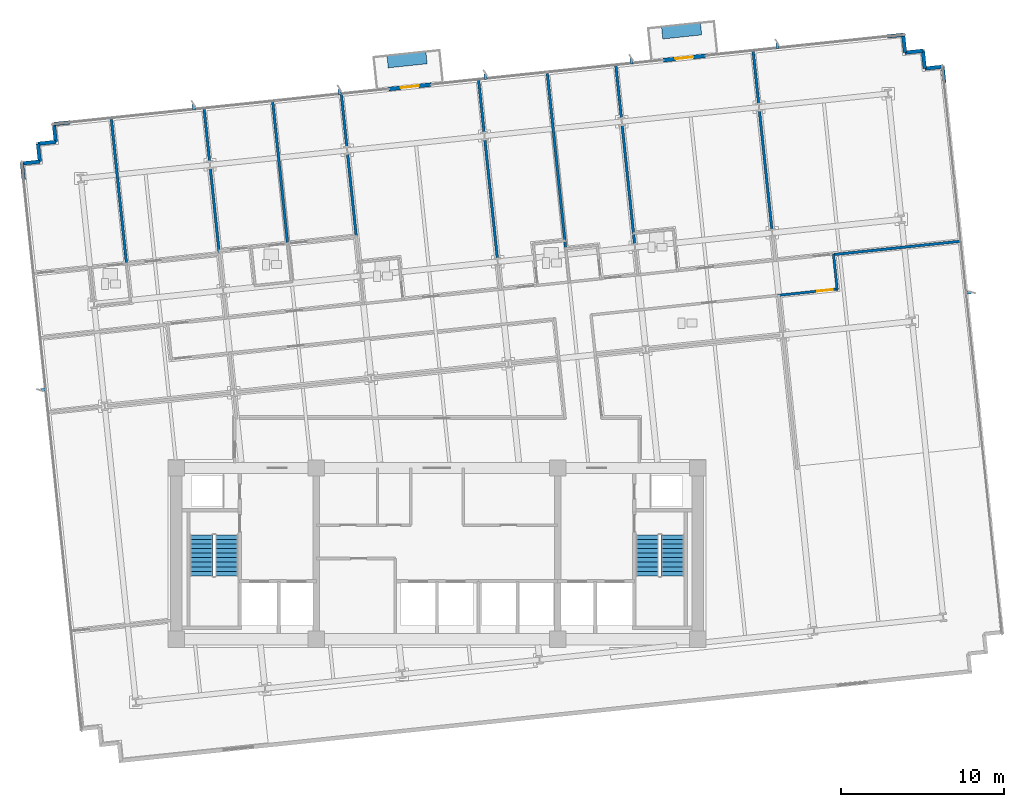
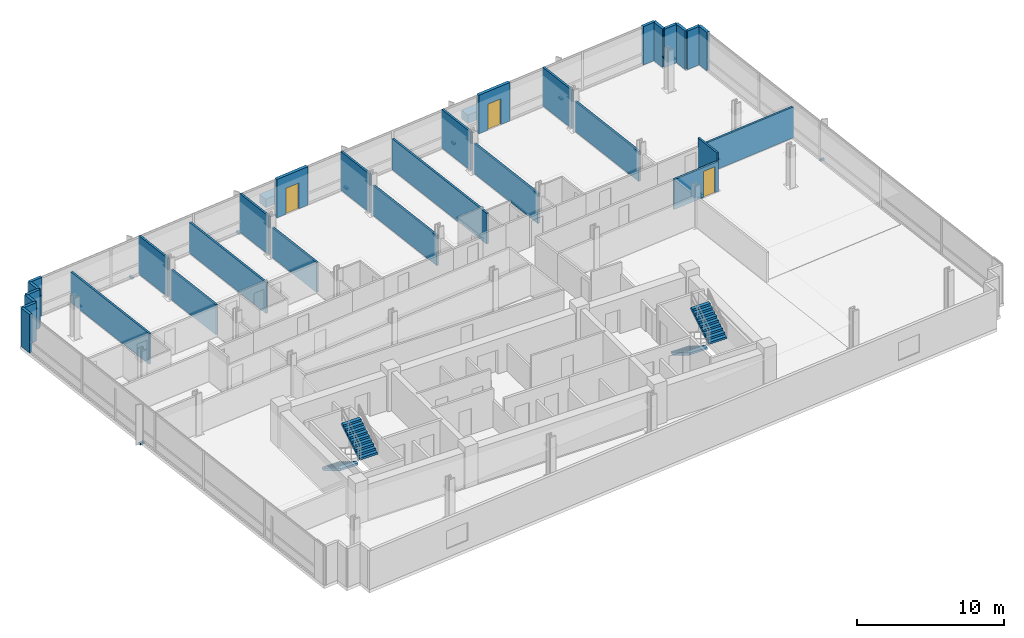
# One storey, part 13 of 17: 30 walls, 9 discrete accessories, 4 stair flights, 3 doors, 3 openings, 2 elements without a shape of their own.
"""IFC4 building model written with IfcOpenShell, lengths in metres."""

from ifc_helpers import new_model, si_unit, direction, frame, frame_2d, origin, origin_2d, place, context, subcontext, project, spatial, polyline, rectangle, outline, extrude, material, layer, layer_set, type_object, element, fill, aggregate, save


model = new_model("IFC4")

# Units and contexts
model_context = context("Model", 3, precision=1e-05, world=origin(), true_north=direction((0.0, 1.0)))
body_context = subcontext(model_context, "Body", "Model", "MODEL_VIEW")
ifc_project = project(units=[si_unit("LENGTHUNIT", "METRE"), si_unit("AREAUNIT", "SQUARE_METRE"), si_unit("VOLUMEUNIT", "CUBIC_METRE"), si_unit("PLANEANGLEUNIT", "RADIAN"), si_unit("MASSUNIT", "GRAM", prefix="KILO")], contexts=[model_context])

# Site, building, storey
site_placement = place(None, origin())
site = spatial("IfcSite", under=ifc_project, at=site_placement, CompositionType="ELEMENT")
building_placement = place(site_placement, origin())
building = spatial("IfcBuilding", under=site, at=building_placement, Name="Solmavex Isthmus Hotel", CompositionType="ELEMENT")
storey_placement = place(building_placement, frame((0.0, 0.0, 116.699951171875)))
storey = spatial("IfcBuildingStorey", under=building, at=storey_placement, Name="L31", CompositionType="ELEMENT", Elevation=116.699951171875)

# Wall, opening, door
ifc_material_1 = material(Name="Precast Concrete C40/50", Category="concrete")
ifc_layer_1 = layer(ifc_material_1, 0.25)
ifc_layer_set_1 = layer_set([ifc_layer_1], Name="Precast Concrete C40/50")
wall_type_1 = type_object("IfcWallType", Name="EW-TWR-250", PredefinedType="STANDARD", material=ifc_layer_set_1)
wall_1_placement = place(storey_placement, frame((-2.95458984375, 20.744140625, 0.0), z_axis=(0.0, 0.0, 1.0), x_axis=(0.994523446942, 0.104513699976, 0.0)))
wall_1 = element("IfcWall", 1, at=wall_1_placement, inside=storey, type_object=wall_type_1, Name="Exterior Balcony Door Wall L31-2", PredefinedType="STANDARD", context=body_context, shape_type="SweptSolid", body=[
    extrude(rectangle(XDim=2.599853515625, YDim=0.239990234375, at=frame_2d((1.2998046875, 0.0))), origin(), (0.0, 0.0, 1.0), 3.18994140625),
])
opening_1_placement = place(wall_1_placement, frame((0.75, 0.0, 0.0)))
opening_1 = element("IfcOpeningElement", 2, at=opening_1_placement, cuts=wall_1, Name="Opening ED-02", PredefinedType="OPENING", context=body_context, shape_type="SweptSolid", body=[
    extrude(rectangle(XDim=1.10009765625, YDim=2.14990234375, at=frame_2d((0.550048828125, 1.074951171875))), frame((0.0, 0.1298828125, 0.0), z_axis=(0.0, -1.0, 0.0), x_axis=(1.0, 0.0, 0.0)), (0.0, 0.0, 1.0), 0.260009765625),
])
ifc_material_2 = material(Name="Aluminium alloy 6063-T6", Category="aluminium")
door_type_1 = type_object("IfcDoorType", Name="EDR-BALC-1100", OperationType="NOTDEFINED", PredefinedType="DOOR", material=ifc_material_2)
door_1_placement = place(opening_1_placement, origin())
door_1 = element("IfcDoor", 3, at=door_1_placement, inside=storey, type_object=door_type_1, Name="Balcony & Terrace Glazed Door L31-2", OperationType="SINGLE_SWING_RIGHT", OverallHeight=2.14990234375, OverallWidth=1.10009765625, PredefinedType="DOOR", context=body_context, shape_type="SweptSolid", body=[
    extrude(rectangle(XDim=1.10009765625, YDim=2.14990234375, at=frame_2d((0.550048828125, 1.074951171875))), frame((0.0, 0.02490234375, 0.0), z_axis=(0.0, -1.0, 0.0), x_axis=(1.0, 0.0, 0.0)), (0.0, 0.0, 1.0), 0.050048828125),
])
fill(opening_1, door_1)

wall_2_placement = place(storey_placement, frame((13.884765625, 22.513916015625, 0.0), z_axis=(0.0, 0.0, 1.0), x_axis=(0.994523446942, 0.104513699976, 0.0)))
wall_2 = element("IfcWall", 4, at=wall_2_placement, inside=storey, type_object=wall_type_1, Name="Exterior Balcony Door Wall L31-3", PredefinedType="STANDARD", context=body_context, shape_type="SweptSolid", body=[
    extrude(rectangle(XDim=2.599853515625, YDim=0.239990234375, at=frame_2d((1.2998046875, 0.0))), origin(), (0.0, 0.0, 1.0), 3.18994140625),
])
opening_2_placement = place(wall_2_placement, frame((0.75, 0.0, 0.0)))
opening_2 = element("IfcOpeningElement", 5, at=opening_2_placement, cuts=wall_2, Name="Opening ED-02", PredefinedType="OPENING", context=body_context, shape_type="SweptSolid", body=[
    extrude(rectangle(XDim=1.10009765625, YDim=2.14990234375, at=frame_2d((0.550048828125, 1.074951171875))), frame((0.0, 0.1298828125, 0.0), z_axis=(0.0, -1.0, 0.0), x_axis=(1.0, 0.0, 0.0)), (0.0, 0.0, 1.0), 0.260009765625),
])
door_2_placement = place(opening_2_placement, origin())
door_2 = element("IfcDoor", 6, at=door_2_placement, inside=storey, type_object=door_type_1, Name="Balcony & Terrace Glazed Door L31-3", OperationType="SINGLE_SWING_LEFT", OverallHeight=2.14990234375, OverallWidth=1.10009765625, PredefinedType="DOOR", context=body_context, shape_type="SweptSolid", body=[
    extrude(rectangle(XDim=1.10009765625, YDim=2.14990234375, at=frame_2d((0.550048828125, 1.074951171875))), frame((0.0, 0.02490234375, 0.0), z_axis=(0.0, -1.0, 0.0), x_axis=(1.0, 0.0, 0.0)), (0.0, 0.0, 1.0), 0.050048828125),
])
fill(opening_2, door_2)

# Walls
wall_3_placement = place(storey_placement, frame((-25.35400390625, 15.1923828125, 0.0), z_axis=(0.0, 0.0, 1.0), x_axis=(-0.104556418955, 0.99451895671, 0.0)))
element("IfcWall", 7, at=wall_3_placement, inside=storey, type_object=wall_type_1, Name="Serrated Corner Facade Panel L31-07", PredefinedType="STANDARD", context=body_context, shape_type="SweptSolid", body=[
    extrude(rectangle(XDim=0.989990234375, YDim=0.219970703125, at=frame_2d((0.4951171875, 0.0))), origin(), (0.0, 0.0, 1.0), 3.18994140625),
])
wall_4_placement = place(storey_placement, frame((-25.45751953125, 16.177001953125, 0.0), z_axis=(0.0, 0.0, 1.0), x_axis=(0.994521251134, 0.104534592565, 0.0)))
element("IfcWall", 8, at=wall_4_placement, inside=storey, type_object=wall_type_1, Name="Serrated Corner Facade Panel L31-08", PredefinedType="STANDARD", context=body_context, shape_type="SweptSolid", body=[
    extrude(rectangle(XDim=1.10009765625, YDim=0.219970703125, at=frame_2d((0.550048828125, 0.0))), origin(), (0.0, 0.0, 1.0), 3.18994140625),
])
wall_5_placement = place(storey_placement, frame((-24.363525390625, 16.2919921875, 0.0), z_axis=(0.0, 0.0, 1.0), x_axis=(-0.104557671117, 0.994518825066, 0.0)))
element("IfcWall", 9, at=wall_5_placement, inside=storey, type_object=wall_type_1, Name="Serrated Corner Facade Panel L31-09", PredefinedType="STANDARD", context=body_context, shape_type="SweptSolid", body=[
    extrude(rectangle(XDim=1.099853515625, YDim=0.219970703125, at=frame_2d((0.5498046875, 0.0))), origin(), (0.0, 0.0, 1.0), 3.18994140625),
])
for number, where, z_axis, x_axis, name in (
    (10, (-24.478515625, 17.3857421875, 0.0), (0.0, 0.0, 1.0), (0.994521251134, 0.104534592565, 0.0), "Serrated Corner Facade Panel L31-10"),
    (11, (-23.384521484375, 17.500732421875, 0.0), (0.0, 0.0, 1.0), (-0.104534592565, 0.994521251134, 0.0), "Serrated Corner Facade Panel L31-11"),
):
    element("IfcWall", number, at=place(storey_placement, frame(where, z_axis=z_axis, x_axis=x_axis)), inside=storey, type_object=wall_type_1, Name=name, PredefinedType="STANDARD", context=body_context, shape_type="SweptSolid", body=[
        extrude(rectangle(XDim=1.10009765625, YDim=0.219970703125, at=frame_2d((0.550048828125, 0.0))), origin(), (0.0, 0.0, 1.0), 3.18994140625),
    ])
wall_6_placement = place(storey_placement, frame((-23.49951171875, 18.5947265625, 0.0), z_axis=(0.0, 0.0, 1.0), x_axis=(0.99451895671, 0.104556418955, 0.0)))
element("IfcWall", 12, at=wall_6_placement, inside=storey, type_object=wall_type_1, Name="Serrated Corner Facade Panel L31-12", PredefinedType="STANDARD", context=body_context, shape_type="SweptSolid", body=[
    extrude(rectangle(XDim=0.989990234375, YDim=0.219970703125, at=frame_2d((0.4951171875, 0.0))), origin(), (0.0, 0.0, 1.0), 3.18994140625),
])
wall_7_placement = place(storey_placement, frame((27.609130859375, 23.966552734375, 0.0), z_axis=(0.0, 0.0, 1.0), x_axis=(0.994516259927, 0.104582067016, 0.0)))
element("IfcWall", 13, at=wall_7_placement, inside=storey, type_object=wall_type_1, Name="Serrated Corner Facade Panel L31-14", PredefinedType="STANDARD", context=body_context, shape_type="SweptSolid", body=[
    extrude(rectangle(XDim=0.98974609375, YDim=0.219970703125, at=frame_2d((0.494873046875, 0.0))), origin(), (0.0, 0.0, 1.0), 3.18994140625),
])
for number, where, z_axis, x_axis, name in (
    (14, (28.593505859375, 24.070068359375, 0.0), (0.0, 0.0, 1.0), (0.104534592565, -0.994521251134, 0.0), "Serrated Corner Facade Panel L31-15"),
    (15, (28.70849609375, 22.97607421875, 0.0), (0.0, 0.0, 1.0), (0.994521251134, 0.104534592565, 0.0), "Serrated Corner Facade Panel L31-16"),
    (16, (29.802490234375, 23.091064453125, 0.0), (0.0, 0.0, 1.0), (0.104534592565, -0.994521251134, 0.0), "Serrated Corner Facade Panel L31-17"),
    (17, (29.91748046875, 21.9970703125, 0.0), (0.0, 0.0, 1.0), (0.994521251134, 0.104534592565, 0.0), "Serrated Corner Facade Panel L31-18"),
):
    element("IfcWall", number, at=place(storey_placement, frame(where, z_axis=z_axis, x_axis=x_axis)), inside=storey, type_object=wall_type_1, Name=name, PredefinedType="STANDARD", context=body_context, shape_type="SweptSolid", body=[
        extrude(rectangle(XDim=1.10009765625, YDim=0.219970703125, at=frame_2d((0.550048828125, 0.0))), origin(), (0.0, 0.0, 1.0), 3.18994140625),
    ])
wall_8_placement = place(storey_placement, frame((31.011474609375, 22.112060546875, 0.0), z_axis=(0.0, 0.0, 1.0), x_axis=(0.104556418955, -0.99451895671, 0.0)))
element("IfcWall", 18, at=wall_8_placement, inside=storey, type_object=wall_type_1, Name="Serrated Corner Facade Panel L31-19", PredefinedType="STANDARD", context=body_context, shape_type="SweptSolid", body=[
    extrude(rectangle(XDim=0.989990234375, YDim=0.219970703125, at=frame_2d((0.4951171875, 0.0))), origin(), (0.0, 0.0, 1.0), 3.18994140625),
])
ifc_material_3 = material(Name="Gypsum plasterboard lining", Category="gypsum")
ifc_layer_2 = layer(ifc_material_3, 0.159912109375)
ifc_layer_set_2 = layer_set([ifc_layer_2], Name="Gypsum plasterboard lining")
wall_type_2 = type_object("IfcWallType", Name="IW-COMP-160", PredefinedType="PARTITIONING", material=ifc_layer_set_2)
wall_9_placement = place(storey_placement, frame((-19.988037109375, 18.994140625, 0.0), z_axis=(0.0, 0.0, 1.0), x_axis=(0.104530519182, -0.994521679281, 0.0)))
element("IfcWall", 19, at=wall_9_placement, inside=storey, type_object=wall_type_2, Name="Interior Partition Wall W-L31-P034", PredefinedType="PARTITIONING", context=body_context, shape_type="SweptSolid", body=[
    extrude(rectangle(XDim=9.06201171875, YDim=0.159912109375, at=frame_2d((4.531005859375, 0.0))), origin(), (0.0, 0.0, 1.0), 2.55322265625),
])
wall_10_placement = place(storey_placement, frame((-14.29541015625, 19.59228515625, 0.0), z_axis=(0.0, 0.0, 1.0), x_axis=(0.10455555946, -0.99451904707, 0.0)))
element("IfcWall", 20, at=wall_10_placement, inside=storey, type_object=wall_type_2, Name="Interior Partition Wall W-L31-P036", PredefinedType="PARTITIONING", context=body_context, shape_type="SweptSolid", body=[
    extrude(rectangle(XDim=3.34375, YDim=0.159912109375, at=frame_2d((1.671875, 0.0))), origin(), (0.0, 0.0, 1.0), 3.18994140625),
])
wall_11_placement = place(storey_placement, frame((-13.908935546875, 15.91650390625, 0.0), z_axis=(0.0, 0.0, 1.0), x_axis=(0.104538369303, -0.994520854152, 0.0)))
element("IfcWall", 21, at=wall_11_placement, inside=storey, type_object=wall_type_2, Name="Interior Partition Wall W-L31-P037", PredefinedType="PARTITIONING", context=body_context, shape_type="SweptSolid", body=[
    extrude(rectangle(XDim=5.2080078125, YDim=0.159912109375, at=frame_2d((2.60400390625, 0.0))), origin(), (0.0, 0.0, 1.0), 2.4794921875),
])
wall_12_placement = place(storey_placement, frame((-10.08544921875, 20.034912109375, 0.0), z_axis=(0.0, 0.0, 1.0), x_axis=(0.104521299929, -0.994522648239, 0.0)))
element("IfcWall", 22, at=wall_12_placement, inside=storey, type_object=wall_type_2, Name="Interior Partition Wall W-L31-P045", PredefinedType="PARTITIONING", context=body_context, shape_type="SweptSolid", body=[
    extrude(rectangle(XDim=8.862060546875, YDim=0.159912109375, at=frame_2d((4.43115234375, 0.0))), origin(), (0.0, 0.0, 1.0), 2.55322265625),
])
wall_13_placement = place(storey_placement, frame((-5.875732421875, 20.477294921875, 0.0), z_axis=(0.0, 0.0, 1.0), x_axis=(0.10455555946, -0.99451904707, 0.0)))
element("IfcWall", 23, at=wall_13_placement, inside=storey, type_object=wall_type_2, Name="Interior Partition Wall W-L31-P047", PredefinedType="PARTITIONING", context=body_context, shape_type="SweptSolid", body=[
    extrude(rectangle(XDim=3.34375, YDim=0.159912109375, at=frame_2d((1.671875, 0.0))), origin(), (0.0, 0.0, 1.0), 3.18994140625),
])
wall_14_placement = place(storey_placement, frame((-5.4892578125, 16.80126953125, 0.0), z_axis=(0.0, 0.0, 1.0), x_axis=(0.104495347858, -0.994525375381, 0.0)))
element("IfcWall", 24, at=wall_14_placement, inside=storey, type_object=wall_type_2, Name="Interior Partition Wall W-L31-P048", PredefinedType="PARTITIONING", context=body_context, shape_type="SweptSolid", body=[
    extrude(rectangle(XDim=5.165771484375, YDim=0.159912109375, at=frame_2d((2.5830078125, 0.0))), origin(), (0.0, 0.0, 1.0), 2.4794921875),
])
wall_15_placement = place(storey_placement, frame((2.5439453125, 21.3623046875, 0.0), z_axis=(0.0, 0.0, 1.0), x_axis=(0.10455555946, -0.99451904707, 0.0)))
element("IfcWall", 25, at=wall_15_placement, inside=storey, type_object=wall_type_2, Name="Interior Partition Wall W-L31-P051", PredefinedType="PARTITIONING", context=body_context, shape_type="SweptSolid", body=[
    extrude(rectangle(XDim=3.34375, YDim=0.159912109375, at=frame_2d((1.671875, 0.0))), origin(), (0.0, 0.0, 1.0), 3.18994140625),
])
wall_16_placement = place(storey_placement, frame((2.93017578125, 17.686279296875, 0.0), z_axis=(0.0, 0.0, 1.0), x_axis=(0.104555973927, -0.994519003497, 0.0)))
element("IfcWall", 26, at=wall_16_placement, inside=storey, type_object=wall_type_2, Name="Interior Partition Wall W-L31-P052", PredefinedType="PARTITIONING", context=body_context, shape_type="SweptSolid", body=[
    extrude(rectangle(XDim=7.399658203125, YDim=0.159912109375, at=frame_2d((3.69970703125, 0.0))), origin(), (0.0, 0.0, 1.0), 2.4794921875),
])
wall_17_placement = place(storey_placement, frame((6.766357421875, 21.685302734375, 0.0), z_axis=(0.0, 0.0, 1.0), x_axis=(0.104527119842, -0.994522036567, 0.0)))
element("IfcWall", 27, at=wall_17_placement, inside=storey, type_object=wall_type_2, Name="Interior Partition Wall W-L31-P056", PredefinedType="PARTITIONING", context=body_context, shape_type="SweptSolid", body=[
    extrude(rectangle(XDim=10.8818359375, YDim=0.159912109375, at=frame_2d((5.44091796875, 0.0))), origin(), (0.0, 0.0, 1.0), 2.55322265625),
])
wall_18_placement = place(storey_placement, frame((10.963623046875, 22.2470703125, 0.0), z_axis=(0.0, 0.0, 1.0), x_axis=(0.10448334315, -0.994526636649, 0.0)))
element("IfcWall", 28, at=wall_18_placement, inside=storey, type_object=wall_type_2, Name="Interior Partition Wall W-L31-P060", PredefinedType="PARTITIONING", context=body_context, shape_type="SweptSolid", body=[
    extrude(rectangle(XDim=3.34375, YDim=0.159912109375, at=frame_2d((1.671875, 0.0))), origin(), (0.0, 0.0, 1.0), 3.18994140625),
])
wall_19_placement = place(storey_placement, frame((11.349853515625, 18.5712890625, 0.0), z_axis=(0.0, 0.0, 1.0), x_axis=(0.104523341075, -0.994522433719, 0.0)))
element("IfcWall", 29, at=wall_19_placement, inside=storey, type_object=wall_type_2, Name="Interior Partition Wall W-L31-P061", PredefinedType="PARTITIONING", context=body_context, shape_type="SweptSolid", body=[
    extrude(rectangle(XDim=7.399658203125, YDim=0.159912109375, at=frame_2d((3.69970703125, 0.0))), origin(), (0.0, 0.0, 1.0), 2.4794921875),
])
wall_20_placement = place(storey_placement, frame((19.383056640625, 23.132080078125, 0.0), z_axis=(0.0, 0.0, 1.0), x_axis=(0.10455555946, -0.99451904707, 0.0)))
element("IfcWall", 30, at=wall_20_placement, inside=storey, type_object=wall_type_2, Name="Interior Partition Wall W-L31-P065", PredefinedType="PARTITIONING", context=body_context, shape_type="SweptSolid", body=[
    extrude(rectangle(XDim=3.34375, YDim=0.159912109375, at=frame_2d((1.671875, 0.0))), origin(), (0.0, 0.0, 1.0), 3.18994140625),
])
wall_21_placement = place(storey_placement, frame((19.76953125, 19.456298828125, 0.0), z_axis=(0.0, 0.0, 1.0), x_axis=(0.104523341075, -0.994522433719, 0.0)))
element("IfcWall", 31, at=wall_21_placement, inside=storey, type_object=wall_type_2, Name="Interior Partition Wall W-L31-P066", PredefinedType="PARTITIONING", context=body_context, shape_type="SweptSolid", body=[
    extrude(rectangle(XDim=7.399658203125, YDim=0.159912109375, at=frame_2d((3.69970703125, 0.0))), origin(), (0.0, 0.0, 1.0), 2.4794921875),
])
wall_22_placement = place(storey_placement, frame((32.166015625, 11.4140625, 0.0), z_axis=(0.0, 0.0, 1.0), x_axis=(-0.994522987852, -0.104518068455, 0.0)))
element("IfcWall", 32, at=wall_22_placement, inside=storey, type_object=wall_type_2, Name="Interior Partition Wall W-L31-P068", PredefinedType="PARTITIONING", context=body_context, shape_type="SweptSolid", body=[
    extrude(rectangle(XDim=7.927978515625, YDim=0.159912109375, at=frame_2d((3.9638671875, 0.0))), origin(), (0.0, 0.0, 1.0), 2.55322265625),
])
ifc_layer_3 = layer(ifc_material_3, 0.14990234375)
ifc_layer_set_3 = layer_set([ifc_layer_3], Name="Gypsum plasterboard lining")
wall_type_3 = type_object("IfcWallType", Name="IW-CORR-150", PredefinedType="PARTITIONING", material=ifc_layer_set_3)
wall_23_placement = place(storey_placement, frame((24.317138671875, 10.62939453125, 0.0), z_axis=(0.0, 0.0, 1.0), x_axis=(0.104500773718, -0.994524805267, 0.0)))
element("IfcWall", 33, at=wall_23_placement, inside=storey, type_object=wall_type_3, Name="Interior Partition Wall W-L31-P021", PredefinedType="PARTITIONING", context=body_context, shape_type="SweptSolid", body=[
    extrude(rectangle(XDim=2.210205078125, YDim=0.14990234375, at=frame_2d((1.10498046875, 0.0))), origin(), (0.0, 0.0, 1.0), 3.18994140625),
])

# Wall, opening, door
wall_24_placement = place(storey_placement, frame((24.583740234375, 8.475341796875, 0.0), z_axis=(0.0, 0.0, 1.0), x_axis=(-0.994525920558, -0.104490159046, 0.0)))
wall_24 = element("IfcWall", 34, at=wall_24_placement, inside=storey, type_object=wall_type_3, Name="Interior Partition Wall W-L31-P022", PredefinedType="PARTITIONING", context=body_context, shape_type="SweptSolid", body=[
    extrude(rectangle(XDim=3.721923828125, YDim=0.14990234375, at=frame_2d((1.86083984375, 0.0))), origin(), (0.0, 0.0, 1.0), 2.4794921875),
])
opening_3_placement = place(wall_24_placement, frame((0.315185546875, 0.0, 0.0)))
opening_3 = element("IfcOpeningElement", 35, at=opening_3_placement, cuts=wall_24, Name="Opening ID-C095", PredefinedType="OPENING", context=body_context, shape_type="SweptSolid", body=[
    extrude(rectangle(XDim=0.949951171875, YDim=2.14990234375, at=frame_2d((0.47509765625, 1.074951171875))), frame((0.0, 0.0849609375, 0.0), z_axis=(0.0, -1.0, 0.0), x_axis=(1.0, 0.0, 0.0)), (0.0, 0.0, 1.0), 0.169921875),
])
ifc_material_4 = material(Name="Hardwood timber", Category="wood")
door_type_2 = type_object("IfcDoorType", Name="IDR-FD60-0950", OperationType="NOTDEFINED", PredefinedType="DOOR", material=ifc_material_4)
door_3_placement = place(opening_3_placement, frame((0.949951171875, 0.0, 0.0), z_axis=(0.0, 0.0, 1.0), x_axis=(-1.0, 0.0, 0.0)))
door_3 = element("IfcDoor", 36, at=door_3_placement, inside=storey, type_object=door_type_2, Name="Executive Hospitality Lounge Door L31-24", OperationType="SINGLE_SWING_RIGHT", OverallHeight=2.14990234375, OverallWidth=0.949951171875, PredefinedType="DOOR", context=body_context, shape_type="SweptSolid", body=[
    extrude(rectangle(XDim=0.949951171875, YDim=2.14990234375, at=frame_2d((0.47509765625, 1.074951171875))), frame((0.0, 0.02490234375, 0.0), z_axis=(0.0, -1.0, 0.0), x_axis=(1.0, 0.0, 0.0)), (0.0, 0.0, 1.0), 0.050048828125),
])
fill(opening_3, door_3)

# Stair, stair flights
ifc_material_5 = material(Name="Concrete C40/50", Category="concrete")
stair_type_1 = type_object("IfcStairType", Name="STR-ST-1", PredefinedType="HALF_TURN_STAIR", material=ifc_material_5)
stair_1_placement = place(storey_placement, origin())
stair_1 = element("IfcStair", 37, at=stair_1_placement, inside=storey, type_object=stair_type_1, Name="L31 Protected Exit Stair ST-1", PredefinedType="HALF_TURN_STAIR")
stair_flight_type_1 = type_object("IfcStairFlightType", Name="SFL-ST-1", PredefinedType="STRAIGHT", material=ifc_material_5)
stair_flight_1_placement = place(storey_placement, frame((-14.449951171875, -6.60009765625, 0.0), z_axis=(0.0, 0.0, 1.0), x_axis=(0.0, -1.0, 0.0)))
stair_flight_1 = element("IfcStairFlight", 38, at=stair_flight_1_placement, type_object=stair_flight_type_1, Name="ST-1 flight 1", NumberOfRisers=10, NumberOfTreads=9, PredefinedType="STRAIGHT", RiserHeight=0.1725, TreadLength=0.28, context=body_context, shape_type="SweptSolid", body=[
    extrude(outline(polyline([(0.0, 0.0), (0.0, 0.172607421875), (0.280029296875, 0.172607421875), (0.280029296875, 0.344970703125), (0.56005859375, 0.344970703125), (0.56005859375, 0.517578125), (0.840087890625, 0.517578125), (0.840087890625, 0.68994140625), (1.1201171875, 0.68994140625), (1.1201171875, 0.862548828125), (1.39990234375, 0.862548828125), (1.39990234375, 1.034912109375), (1.679931640625, 1.034912109375), (1.679931640625, 1.20751953125), (1.9599609375, 1.20751953125), (1.9599609375, 1.3798828125), (2.239990234375, 1.3798828125), (2.239990234375, 1.552490234375), (2.52001953125, 1.552490234375), (2.52001953125, 1.72509765625), (2.52001953125, 1.37646484375), (0.285888671875, 0.0), (0.0, 0.0)])), frame((0.0, 0.699951171875, 0.0), z_axis=(0.0, -1.0, 0.0), x_axis=(1.0, 0.0, 0.0)), (0.0, 0.0, 1.0), 1.39990234375),
])
stair_flight_2_placement = place(storey_placement, frame((-12.89990234375, -9.1201171875, 1.72509765625), z_axis=(0.0, 0.0, 1.0), x_axis=(0.0, 1.0, 0.0)))
stair_flight_2 = element("IfcStairFlight", 39, at=stair_flight_2_placement, type_object=stair_flight_type_1, Name="ST-1 flight 2", NumberOfRisers=10, NumberOfTreads=9, PredefinedType="STRAIGHT", RiserHeight=0.1725, TreadLength=0.28, context=body_context, shape_type="SweptSolid", body=[
    extrude(outline(polyline([(0.0, 0.0), (0.0, 0.172607421875), (0.280029296875, 0.172607421875), (0.280029296875, 0.344970703125), (0.56005859375, 0.344970703125), (0.56005859375, 0.517578125), (0.840087890625, 0.517578125), (0.840087890625, 0.68994140625), (1.1201171875, 0.68994140625), (1.1201171875, 0.862548828125), (1.39990234375, 0.862548828125), (1.39990234375, 1.034912109375), (1.679931640625, 1.034912109375), (1.679931640625, 1.20751953125), (1.9599609375, 1.20751953125), (1.9599609375, 1.3798828125), (2.239990234375, 1.3798828125), (2.239990234375, 1.552490234375), (2.52001953125, 1.552490234375), (2.52001953125, 1.72509765625), (2.52001953125, 1.37646484375), (0.285888671875, 0.0), (0.0, 0.0)])), frame((0.0, 0.699951171875, 0.0), z_axis=(0.0, -1.0, 0.0), x_axis=(1.0, 0.0, 0.0)), (0.0, 0.0, 1.0), 1.39990234375),
])
aggregate(stair_1, [stair_flight_1, stair_flight_2])

stair_type_2 = type_object("IfcStairType", Name="STR-ST-2", PredefinedType="HALF_TURN_STAIR", material=ifc_material_5)
stair_2_placement = place(storey_placement, origin())
stair_2 = element("IfcStair", 40, at=stair_2_placement, inside=storey, type_object=stair_type_2, Name="L31 Protected Exit Stair ST-2", PredefinedType="HALF_TURN_STAIR")
stair_flight_type_2 = type_object("IfcStairFlightType", Name="SFL-ST-2", PredefinedType="STRAIGHT", material=ifc_material_5)
stair_flight_3_placement = place(storey_placement, frame((12.89990234375, -6.60009765625, 0.0), z_axis=(0.0, 0.0, 1.0), x_axis=(0.0, -1.0, 0.0)))
stair_flight_3 = element("IfcStairFlight", 41, at=stair_flight_3_placement, type_object=stair_flight_type_2, Name="ST-2 flight 1", NumberOfRisers=10, NumberOfTreads=9, PredefinedType="STRAIGHT", RiserHeight=0.1725, TreadLength=0.28, context=body_context, shape_type="SweptSolid", body=[
    extrude(outline(polyline([(0.0, 0.0), (0.0, 0.172607421875), (0.280029296875, 0.172607421875), (0.280029296875, 0.344970703125), (0.56005859375, 0.344970703125), (0.56005859375, 0.517578125), (0.840087890625, 0.517578125), (0.840087890625, 0.68994140625), (1.1201171875, 0.68994140625), (1.1201171875, 0.862548828125), (1.39990234375, 0.862548828125), (1.39990234375, 1.034912109375), (1.679931640625, 1.034912109375), (1.679931640625, 1.20751953125), (1.9599609375, 1.20751953125), (1.9599609375, 1.3798828125), (2.239990234375, 1.3798828125), (2.239990234375, 1.552490234375), (2.52001953125, 1.552490234375), (2.52001953125, 1.72509765625), (2.52001953125, 1.37646484375), (0.285888671875, 0.0), (0.0, 0.0)])), frame((0.0, 0.699951171875, 0.0), z_axis=(0.0, -1.0, 0.0), x_axis=(1.0, 0.0, 0.0)), (0.0, 0.0, 1.0), 1.39990234375),
])
stair_flight_4_placement = place(storey_placement, frame((14.449951171875, -9.1201171875, 1.72509765625), z_axis=(0.0, 0.0, 1.0), x_axis=(0.0, 1.0, 0.0)))
stair_flight_4 = element("IfcStairFlight", 42, at=stair_flight_4_placement, type_object=stair_flight_type_2, Name="ST-2 flight 2", NumberOfRisers=10, NumberOfTreads=9, PredefinedType="STRAIGHT", RiserHeight=0.1725, TreadLength=0.28, context=body_context, shape_type="SweptSolid", body=[
    extrude(outline(polyline([(0.0, 0.0), (0.0, 0.172607421875), (0.280029296875, 0.172607421875), (0.280029296875, 0.344970703125), (0.56005859375, 0.344970703125), (0.56005859375, 0.517578125), (0.840087890625, 0.517578125), (0.840087890625, 0.68994140625), (1.1201171875, 0.68994140625), (1.1201171875, 0.862548828125), (1.39990234375, 0.862548828125), (1.39990234375, 1.034912109375), (1.679931640625, 1.034912109375), (1.679931640625, 1.20751953125), (1.9599609375, 1.20751953125), (1.9599609375, 1.3798828125), (2.239990234375, 1.3798828125), (2.239990234375, 1.552490234375), (2.52001953125, 1.552490234375), (2.52001953125, 1.72509765625), (2.52001953125, 1.37646484375), (0.285888671875, 0.0), (0.0, 0.0)])), frame((0.0, 0.699951171875, 0.0), z_axis=(0.0, -1.0, 0.0), x_axis=(1.0, 0.0, 0.0)), (0.0, 0.0, 1.0), 1.39990234375),
])
aggregate(stair_2, [stair_flight_3, stair_flight_4])

# Discrete accessories
ifc_material_6 = material(Name="Steel ASTM A572 Grade 50", Category="steel")
discrete_accessory_type_1 = type_object("IfcDiscreteAccessoryType", Name="ACC-BRK-FIN", PredefinedType="BRACKET", material=ifc_material_6)
for number, where, z_axis, x_axis, name in (
    (43, (-14.92041015625, 19.627197265625, -0.169921875), (0.0, 0.0, 1.0), (-0.104528463268, 0.994521895368, 0.0), "Facade Fin Support Bracket L31-N1"),
    (44, (-5.9697265625, 20.56787109375, -0.169921875), (0.0, 0.0, 1.0), (-0.104528463268, 0.994521895368, 0.0), "Facade Fin Support Bracket L31-N2"),
    (45, (2.98095703125, 21.5087890625, -0.169921875), (0.0, 0.0, 1.0), (-0.104528463268, 0.994521895368, 0.0), "Facade Fin Support Bracket L31-N3"),
    (46, (11.931640625, 22.449462890625, -0.169921875), (0.0, 0.0, 1.0), (-0.104528463268, 0.994521895368, 0.0), "Facade Fin Support Bracket L31-N4"),
    (47, (20.88232421875, 23.39013671875, -0.169921875), (0.0, 0.0, 1.0), (-0.104528463268, 0.994521895368, 0.0), "Facade Fin Support Bracket L31-N5"),
    (48, (-24.129638671875, 2.299560546875, -0.169921875), (0.0, 0.0, 1.0), (-0.994521895368, -0.104528463268, 0.0), "Facade Fin Support Bracket L31-W1"),
    (49, (32.597900390625, 8.261962890625, -0.169921875), (0.0, 0.0, 1.0), (0.994521895368, 0.104528463268, 0.0), "Facade Fin Support Bracket L31-E1"),
):
    element("IfcDiscreteAccessory", number, at=place(storey_placement, frame(where, z_axis=z_axis, x_axis=x_axis)), inside=storey, type_object=discrete_accessory_type_1, Name=name, PredefinedType="BRACKET", context=body_context, shape_type="SweptSolid", body=[
        extrude(rectangle(XDim=0.340087890625, YDim=0.179931640625, at=origin_2d()), origin(), (0.0, 0.0, 1.0), 0.159912109375),
    ])
discrete_accessory_type_2 = type_object("IfcDiscreteAccessoryType", Name="ACC-PLN-BALC", PredefinedType="USERDEFINED", material=ifc_material_1)
for number, where, z_axis, x_axis, name in (
    (50, (-1.836181640625, 22.540771484375, 0.0), (0.0, 0.0, 1.0), (0.994521895368, 0.104528463268, 0.0), "Tree-Balcony Architectural Planter L31-B1"),
    (51, (15.0029296875, 24.310791015625, 0.0), (0.0, 0.0, 1.0), (0.994521895368, 0.104528463268, 0.0), "Tree-Balcony Architectural Planter L31-B2"),
):
    element("IfcDiscreteAccessory", number, at=place(storey_placement, frame(where, z_axis=z_axis, x_axis=x_axis)), inside=storey, type_object=discrete_accessory_type_2, Name=name, ObjectType="PLANTER", PredefinedType="USERDEFINED", context=body_context, shape_type="SweptSolid", body=[
        extrude(rectangle(XDim=2.39990234375, YDim=0.75, at=origin_2d()), origin(), (0.0, 0.0, 1.0), 0.699951171875),
    ])

save(model, "model.ifc")
